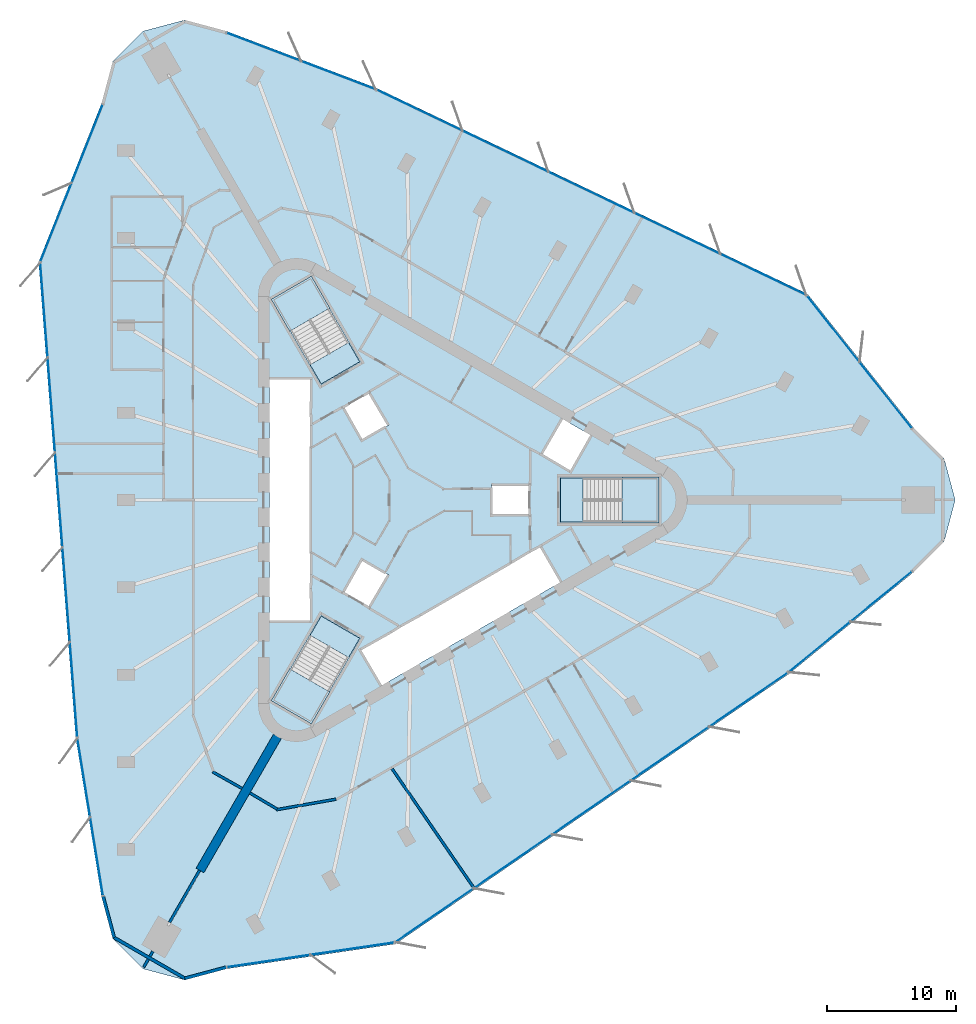
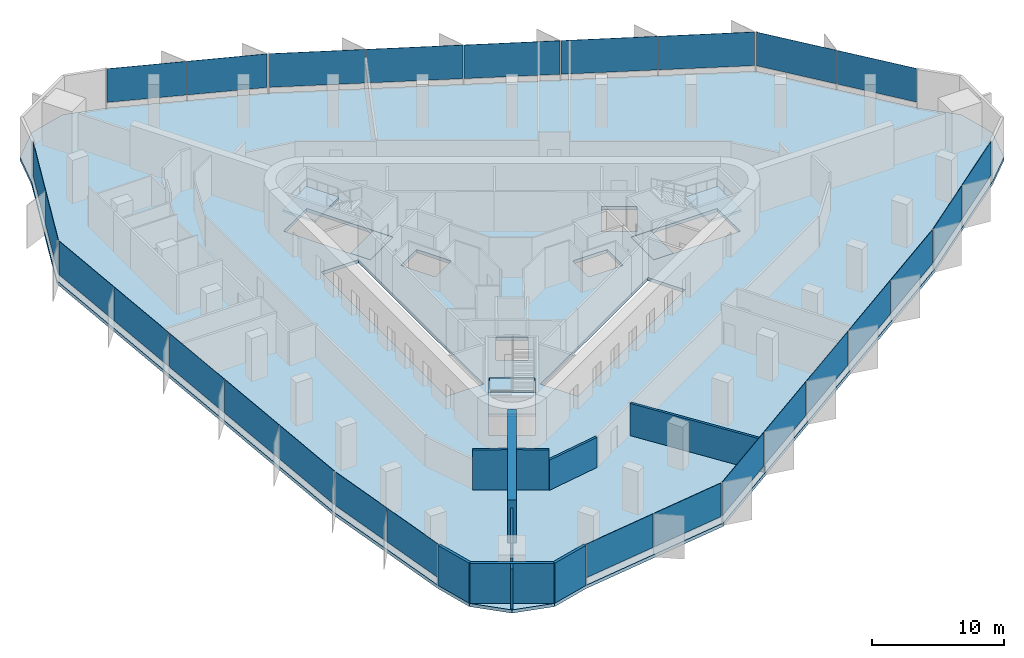
# One storey, part 7 of 13: 27 plates, 11 walls, 7 slabs, 12 elements without a shape of their own.
"""IFC4 building model written with IfcOpenShell, lengths in metres."""

from ifc_helpers import new_model, si_unit, direction, frame, frame_2d, origin, origin_2d, place, context, subcontext, project, spatial, polyline, rectangle, outline, extrude, material, layer, layer_set, type_object, element, aggregate, save


model = new_model("IFC4")

# Units and contexts
model_context = context("Model", 3, precision=1e-05, world=origin(), true_north=direction((0.0, 1.0)))
body_context = subcontext(model_context, "Body", "Model", "MODEL_VIEW")
ifc_project = project(units=[si_unit("LENGTHUNIT", "METRE"), si_unit("AREAUNIT", "SQUARE_METRE"), si_unit("VOLUMEUNIT", "CUBIC_METRE"), si_unit("PLANEANGLEUNIT", "RADIAN"), si_unit("MASSUNIT", "GRAM", prefix="KILO")], contexts=[model_context])

# Site, building, storey
site_placement = place(None, origin())
site = spatial("IfcSite", under=ifc_project, at=site_placement, CompositionType="ELEMENT")
building_placement = place(site_placement, origin())
building = spatial("IfcBuilding", under=site, at=building_placement, Name="Tanit Gate Tower", CompositionType="ELEMENT")
storey_placement = place(building_placement, frame((0.0, 0.0, 193.199951171875)))
storey = spatial("IfcBuildingStorey", under=building, at=storey_placement, Name="L42", CompositionType="ELEMENT", Elevation=193.199951171875)

# Slab
ifc_material_1 = material(Name="Concrete C35/45", Category="concrete")
ifc_layer_1 = layer(ifc_material_1, 0.300048828125)
ifc_layer_set_1 = layer_set([ifc_layer_1], Name="FLOOR SLAB 300 C35/45")
slab_type_1 = type_object("IfcSlabType", Name="FLOOR SLAB 300 C35/45", PredefinedType="FLOOR", material=ifc_layer_set_1)
slab_1_placement = place(storey_placement, frame((0.0, 0.0, -0.300048828125)))
element("IfcSlab", 1, at=slab_1_placement, inside=storey, type_object=slab_type_1, Name="FLOOR SLAB L42", PredefinedType="FLOOR", context=body_context, shape_type="SweptSolid", body=[
    extrude(outline(polyline([(38.729248046875, 5.590087890625), (41.091796875, 3.2275390625), (41.956787109375, 0.0), (41.091796875, -3.2275390625), (38.729248046875, -5.590087890625), (29.077392578125, -13.468994140625), (-1.43408203125, -34.410888671875), (-14.5234375, -36.335693359375), (-17.7509765625, -37.200439453125), (-20.978515625, -36.335693359375), (-23.341064453125, -33.972900390625), (-24.205810546875, -30.745361328125), (-26.202880859375, -18.447265625), (-29.08349609375, 18.447265625), (-24.205810546875, 30.745361328125), (-23.341064453125, 33.972900390625), (-20.978515625, 36.335693359375), (-17.7509765625, 37.200439453125), (-14.5234375, 36.335693359375), (-2.874267578125, 31.916015625), (30.517578125, 15.96337890625), (38.729248046875, 5.590087890625)]), holes=[polyline([(11.3701171875, 1.72998046875), (18.929931640625, 1.72998046875), (18.929931640625, -1.72998046875), (11.3701171875, -1.72998046875), (11.3701171875, 1.72998046875)]), polyline([(9.82080078125, 3.510009765625), (11.44580078125, 6.324462890625), (13.783935546875, 4.974609375), (12.158935546875, 2.159912109375), (9.82080078125, 3.510009765625)]), polyline([(-4.208984375, -11.60986328125), (9.82080078125, -3.510009765625), (11.44580078125, -6.324462890625), (-2.583984375, -14.424560546875), (-4.208984375, -11.60986328125)]), polyline([(6.0, 1.199951171875), (9.0, 1.199951171875), (9.0, -1.199951171875), (6.0, -1.199951171875), (6.0, 1.199951171875)]), polyline([(-5.539306640625, 7.194091796875), (-3.460693359375, 8.394287109375), (-1.960693359375, 5.796142578125), (-4.039306640625, 4.59619140625), (-5.539306640625, 7.194091796875)]), polyline([(-1.960693359375, -5.796142578125), (-3.460693359375, -8.394287109375), (-5.539306640625, -7.194091796875), (-4.039306640625, -4.59619140625), (-1.960693359375, -5.796142578125)]), polyline([(-10.963134765625, 15.52880859375), (-7.966796875, 17.2587890625), (-4.186767578125, 10.711669921875), (-7.18310546875, 8.981689453125), (-10.963134765625, 15.52880859375)]), polyline([(-4.186767578125, -10.711669921875), (-7.966796875, -17.2587890625), (-10.963134765625, -15.52880859375), (-7.18310546875, -8.981689453125), (-4.186767578125, -10.711669921875)]), polyline([(-11.199951171875, -9.449951171875), (-11.199951171875, 9.449951171875), (-7.949951171875, 9.449951171875), (-7.949951171875, -9.449951171875), (-11.199951171875, -9.449951171875)])]), origin(), (0.0, 0.0, 1.0), 0.300048828125),
])

# Curtain wall, plates
ifc_material_2 = material(Name="Aluminium bronze anodised and glass", Category="aluminium")
curtain_wall_type = type_object("IfcCurtainWallType", Name="Curtain wall typical mid", PredefinedType="NOTDEFINED", material=ifc_material_2)
curtain_wall_1_placement = place(storey_placement, origin())
curtain_wall_1 = element("IfcCurtainWall", 2, at=curtain_wall_1_placement, inside=storey, type_object=curtain_wall_type, Name="Curtain wall L42 NE1", PredefinedType="NOTDEFINED")
ifc_material_3 = material(Name="Glass tinted", Category="glass")
ifc_layer_2 = layer(ifc_material_3, 0.030029296875)
ifc_layer_set_2 = layer_set([ifc_layer_2], Name="Glass panel 30 typical mid")
plate_type = type_object("IfcPlateType", Name="Glass panel 30 typical mid", PredefinedType="CURTAIN_PANEL", material=ifc_layer_set_2)
plate_1_placement = place(storey_placement, frame((36.577392578125, 8.115234375, 0.60009765625), z_axis=(0.0, 0.0, 1.0), x_axis=(-0.620674676838, 0.784068202092, 0.0)))
plate_1 = element("IfcPlate", 3, at=plate_1_placement, type_object=plate_type, Name="Glass panel L42 NE1.1", PredefinedType="CURTAIN_PANEL", context=body_context, shape_type="SweptSolid", body=[
    extrude(rectangle(XDim=6.484619140625, YDim=0.030029296875, at=origin_2d()), origin(), (0.0, 0.0, 1.0), 3.10009765625),
])
plate_2_placement = place(storey_placement, frame((32.5029296875, 13.26220703125, 0.60009765625), z_axis=(0.0, 0.0, 1.0), x_axis=(-0.620674676838, 0.784068202092, 0.0)))
plate_2 = element("IfcPlate", 4, at=plate_2_placement, type_object=plate_type, Name="Glass panel L42 NE1.2", PredefinedType="CURTAIN_PANEL", context=body_context, shape_type="SweptSolid", body=[
    extrude(rectangle(XDim=6.484619140625, YDim=0.030029296875, at=origin_2d()), origin(), (0.0, 0.0, 1.0), 3.10009765625),
])
aggregate(curtain_wall_1, [plate_1, plate_2])

curtain_wall_2_placement = place(storey_placement, origin())
curtain_wall_2 = element("IfcCurtainWall", 5, at=curtain_wall_2_placement, inside=storey, type_object=curtain_wall_type, Name="Curtain wall L42 NE2", PredefinedType="NOTDEFINED")
plate_3_placement = place(storey_placement, frame((27.07568359375, 17.474853515625, 0.60009765625), z_axis=(0.0, 0.0, 1.0), x_axis=(-0.902317145415, 0.431072811819, 0.0)))
plate_3 = element("IfcPlate", 6, at=plate_3_placement, type_object=plate_type, Name="Glass panel L42 NE2.1", PredefinedType="CURTAIN_PANEL", context=body_context, shape_type="SweptSolid", body=[
    extrude(rectangle(XDim=7.298828125, YDim=0.030029296875, at=origin_2d()), origin(), (0.0, 0.0, 1.0), 3.10009765625),
])
plate_4_placement = place(storey_placement, frame((20.417724609375, 20.65576171875, 0.60009765625), z_axis=(0.0, 0.0, 1.0), x_axis=(-0.902317145415, 0.431072811819, 0.0)))
plate_4 = element("IfcPlate", 7, at=plate_4_placement, type_object=plate_type, Name="Glass panel L42 NE2.2", PredefinedType="CURTAIN_PANEL", context=body_context, shape_type="SweptSolid", body=[
    extrude(rectangle(XDim=7.298828125, YDim=0.030029296875, at=origin_2d()), origin(), (0.0, 0.0, 1.0), 3.10009765625),
])
plate_5_placement = place(storey_placement, frame((13.759521484375, 23.83642578125, 0.60009765625), z_axis=(0.0, 0.0, 1.0), x_axis=(-0.902317145415, 0.431072811819, 0.0)))
plate_5 = element("IfcPlate", 8, at=plate_5_placement, type_object=plate_type, Name="Glass panel L42 NE2.3", PredefinedType="CURTAIN_PANEL", context=body_context, shape_type="SweptSolid", body=[
    extrude(rectangle(XDim=7.298828125, YDim=0.030029296875, at=origin_2d()), origin(), (0.0, 0.0, 1.0), 3.10009765625),
])
plate_6_placement = place(storey_placement, frame((7.1015625, 27.017333984375, 0.60009765625), z_axis=(0.0, 0.0, 1.0), x_axis=(-0.902317145415, 0.431072811819, 0.0)))
plate_6 = element("IfcPlate", 9, at=plate_6_placement, type_object=plate_type, Name="Glass panel L42 NE2.4", PredefinedType="CURTAIN_PANEL", context=body_context, shape_type="SweptSolid", body=[
    extrude(rectangle(XDim=7.298828125, YDim=0.030029296875, at=origin_2d()), origin(), (0.0, 0.0, 1.0), 3.10009765625),
])
plate_7_placement = place(storey_placement, frame((0.443603515625, 30.197998046875, 0.60009765625), z_axis=(0.0, 0.0, 1.0), x_axis=(-0.902317145415, 0.431072811819, 0.0)))
plate_7 = element("IfcPlate", 10, at=plate_7_placement, type_object=plate_type, Name="Glass panel L42 NE2.5", PredefinedType="CURTAIN_PANEL", context=body_context, shape_type="SweptSolid", body=[
    extrude(rectangle(XDim=7.298828125, YDim=0.030029296875, at=origin_2d()), origin(), (0.0, 0.0, 1.0), 3.10009765625),
])
aggregate(curtain_wall_2, [plate_3, plate_4, plate_5, plate_6, plate_7])

curtain_wall_3_placement = place(storey_placement, origin())
curtain_wall_3 = element("IfcCurtainWall", 11, at=curtain_wall_3_placement, inside=storey, type_object=curtain_wall_type, Name="Curtain wall L42 NE3", PredefinedType="NOTDEFINED")
plate_8_placement = place(storey_placement, frame((-5.849853515625, 32.916748046875, 0.60009765625), z_axis=(0.0, 0.0, 1.0), x_axis=(-0.934976215335, 0.35471041253, 0.0)))
plate_8 = element("IfcPlate", 12, at=plate_8_placement, type_object=plate_type, Name="Glass panel L42 NE3.1", PredefinedType="CURTAIN_PANEL", context=body_context, shape_type="SweptSolid", body=[
    extrude(rectangle(XDim=6.10400390625, YDim=0.030029296875, at=origin_2d()), origin(), (0.0, 0.0, 1.0), 3.10009765625),
])
plate_9_placement = place(storey_placement, frame((-11.6318359375, 35.1103515625, 0.60009765625), z_axis=(0.0, 0.0, 1.0), x_axis=(-0.934976215335, 0.35471041253, 0.0)))
plate_9 = element("IfcPlate", 13, at=plate_9_placement, type_object=plate_type, Name="Glass panel L42 NE3.2", PredefinedType="CURTAIN_PANEL", context=body_context, shape_type="SweptSolid", body=[
    extrude(rectangle(XDim=6.10400390625, YDim=0.030029296875, at=origin_2d()), origin(), (0.0, 0.0, 1.0), 3.10009765625),
])
aggregate(curtain_wall_3, [plate_8, plate_9])

curtain_wall_4_placement = place(storey_placement, origin())
curtain_wall_4 = element("IfcCurtainWall", 14, at=curtain_wall_4_placement, inside=storey, type_object=curtain_wall_type, Name="Curtain wall L42 W1", PredefinedType="NOTDEFINED")
plate_10_placement = place(storey_placement, frame((-25.316650390625, 27.619384765625, 0.60009765625), z_axis=(0.0, 0.0, 1.0), x_axis=(-0.368685642892, -0.929554138674, 0.0)))
plate_10 = element("IfcPlate", 15, at=plate_10_placement, type_object=plate_type, Name="Glass panel L42 W1.1", PredefinedType="CURTAIN_PANEL", context=body_context, shape_type="SweptSolid", body=[
    extrude(rectangle(XDim=6.484619140625, YDim=0.030029296875, at=origin_2d()), origin(), (0.0, 0.0, 1.0), 3.10009765625),
])
plate_11_placement = place(storey_placement, frame((-27.73681640625, 21.51708984375, 0.60009765625), z_axis=(0.0, 0.0, 1.0), x_axis=(-0.368685642892, -0.929554138674, 0.0)))
plate_11 = element("IfcPlate", 16, at=plate_11_placement, type_object=plate_type, Name="Glass panel L42 W1.2", PredefinedType="CURTAIN_PANEL", context=body_context, shape_type="SweptSolid", body=[
    extrude(rectangle(XDim=6.484619140625, YDim=0.030029296875, at=origin_2d()), origin(), (0.0, 0.0, 1.0), 3.10009765625),
])
aggregate(curtain_wall_4, [plate_10, plate_11])

curtain_wall_5_placement = place(storey_placement, origin())
curtain_wall_5 = element("IfcCurtainWall", 17, at=curtain_wall_5_placement, inside=storey, type_object=curtain_wall_type, Name="Curtain wall L42 W2", PredefinedType="NOTDEFINED")
plate_12_placement = place(storey_placement, frame((-28.67138671875, 14.710693359375, 0.60009765625), z_axis=(0.0, 0.0, 1.0), x_axis=(0.077838566791, -0.996965976109, 0.0)))
plate_12 = element("IfcPlate", 18, at=plate_12_placement, type_object=plate_type, Name="Glass panel L42 W2.1", PredefinedType="CURTAIN_PANEL", context=body_context, shape_type="SweptSolid", body=[
    extrude(rectangle(XDim=7.298828125, YDim=0.030029296875, at=origin_2d()), origin(), (0.0, 0.0, 1.0), 3.10009765625),
])
plate_13_placement = place(storey_placement, frame((-28.09716796875, 7.354248046875, 0.60009765625), z_axis=(0.0, 0.0, 1.0), x_axis=(0.077838566791, -0.996965976109, 0.0)))
plate_13 = element("IfcPlate", 19, at=plate_13_placement, type_object=plate_type, Name="Glass panel L42 W2.2", PredefinedType="CURTAIN_PANEL", context=body_context, shape_type="SweptSolid", body=[
    extrude(rectangle(XDim=7.298828125, YDim=0.030029296875, at=origin_2d()), origin(), (0.0, 0.0, 1.0), 3.10009765625),
])
plate_14_placement = place(storey_placement, frame((-27.522705078125, -0.001953125, 0.60009765625), z_axis=(0.0, 0.0, 1.0), x_axis=(0.077838566791, -0.996965976109, 0.0)))
plate_14 = element("IfcPlate", 20, at=plate_14_placement, type_object=plate_type, Name="Glass panel L42 W2.3", PredefinedType="CURTAIN_PANEL", context=body_context, shape_type="SweptSolid", body=[
    extrude(rectangle(XDim=7.298828125, YDim=0.030029296875, at=origin_2d()), origin(), (0.0, 0.0, 1.0), 3.10009765625),
])
plate_15_placement = place(storey_placement, frame((-26.948486328125, -7.3583984375, 0.60009765625), z_axis=(0.0, 0.0, 1.0), x_axis=(0.077838566791, -0.996965976109, 0.0)))
plate_15 = element("IfcPlate", 21, at=plate_15_placement, type_object=plate_type, Name="Glass panel L42 W2.4", PredefinedType="CURTAIN_PANEL", context=body_context, shape_type="SweptSolid", body=[
    extrude(rectangle(XDim=7.298828125, YDim=0.030029296875, at=origin_2d()), origin(), (0.0, 0.0, 1.0), 3.10009765625),
])
plate_16_placement = place(storey_placement, frame((-26.3740234375, -14.71484375, 0.60009765625), z_axis=(0.0, 0.0, 1.0), x_axis=(0.077838566791, -0.996965976109, 0.0)))
plate_16 = element("IfcPlate", 22, at=plate_16_placement, type_object=plate_type, Name="Glass panel L42 W2.5", PredefinedType="CURTAIN_PANEL", context=body_context, shape_type="SweptSolid", body=[
    extrude(rectangle(XDim=7.298828125, YDim=0.030029296875, at=origin_2d()), origin(), (0.0, 0.0, 1.0), 3.10009765625),
])
aggregate(curtain_wall_5, [plate_12, plate_13, plate_14, plate_15, plate_16])

curtain_wall_6_placement = place(storey_placement, origin())
curtain_wall_6 = element("IfcCurtainWall", 23, at=curtain_wall_6_placement, inside=storey, type_object=curtain_wall_type, Name="Curtain wall L42 W3", PredefinedType="NOTDEFINED")
plate_17_placement = place(storey_placement, frame((-25.581787109375, -21.5244140625, 0.60009765625), z_axis=(0.0, 0.0, 1.0), x_axis=(0.16029987943, -0.98706836068, 0.0)))
plate_17 = element("IfcPlate", 24, at=plate_17_placement, type_object=plate_type, Name="Glass panel L42 W3.1", PredefinedType="CURTAIN_PANEL", context=body_context, shape_type="SweptSolid", body=[
    extrude(rectangle(XDim=6.10400390625, YDim=0.030029296875, at=origin_2d()), origin(), (0.0, 0.0, 1.0), 3.10009765625),
])
plate_18_placement = place(storey_placement, frame((-24.59033203125, -27.628662109375, 0.60009765625), z_axis=(0.0, 0.0, 1.0), x_axis=(0.16029987943, -0.98706836068, 0.0)))
plate_18 = element("IfcPlate", 25, at=plate_18_placement, type_object=plate_type, Name="Glass panel L42 W3.2", PredefinedType="CURTAIN_PANEL", context=body_context, shape_type="SweptSolid", body=[
    extrude(rectangle(XDim=6.10400390625, YDim=0.030029296875, at=origin_2d()), origin(), (0.0, 0.0, 1.0), 3.10009765625),
])
aggregate(curtain_wall_6, [plate_17, plate_18])

curtain_wall_7_placement = place(storey_placement, origin())
curtain_wall_7 = element("IfcCurtainWall", 26, at=curtain_wall_7_placement, inside=storey, type_object=curtain_wall_type, Name="Curtain wall L42 SE1", PredefinedType="NOTDEFINED")
plate_19_placement = place(storey_placement, frame((-11.2607421875, -35.734619140625, 0.60009765625), z_axis=(0.0, 0.0, 1.0), x_axis=(0.98936031973, 0.145485936582, 0.0)))
plate_19 = element("IfcPlate", 27, at=plate_19_placement, type_object=plate_type, Name="Glass panel L42 SE1.1", PredefinedType="CURTAIN_PANEL", context=body_context, shape_type="SweptSolid", body=[
    extrude(rectangle(XDim=6.484619140625, YDim=0.030029296875, at=origin_2d()), origin(), (0.0, 0.0, 1.0), 3.10009765625),
])
plate_20_placement = place(storey_placement, frame((-4.765869140625, -34.779541015625, 0.60009765625), z_axis=(0.0, 0.0, 1.0), x_axis=(0.98936031973, 0.145485936582, 0.0)))
plate_20 = element("IfcPlate", 28, at=plate_20_placement, type_object=plate_type, Name="Glass panel L42 SE1.2", PredefinedType="CURTAIN_PANEL", context=body_context, shape_type="SweptSolid", body=[
    extrude(rectangle(XDim=6.484619140625, YDim=0.030029296875, at=origin_2d()), origin(), (0.0, 0.0, 1.0), 3.10009765625),
])
aggregate(curtain_wall_7, [plate_19, plate_20])

curtain_wall_8_placement = place(storey_placement, origin())
curtain_wall_8 = element("IfcCurtainWall", 29, at=curtain_wall_8_placement, inside=storey, type_object=curtain_wall_type, Name="Curtain wall L42 SE2", PredefinedType="NOTDEFINED")
plate_21_placement = place(storey_placement, frame((1.595947265625, -32.185546875, 0.60009765625), z_axis=(0.0, 0.0, 1.0), x_axis=(0.824478578624, 0.56589316429, 0.0)))
plate_21 = element("IfcPlate", 30, at=plate_21_placement, type_object=plate_type, Name="Glass panel L42 SE2.1", PredefinedType="CURTAIN_PANEL", context=body_context, shape_type="SweptSolid", body=[
    extrude(rectangle(XDim=7.298828125, YDim=0.030029296875, at=origin_2d()), origin(), (0.0, 0.0, 1.0), 3.10009765625),
])
plate_22_placement = place(storey_placement, frame((7.679443359375, -28.010009765625, 0.60009765625), z_axis=(0.0, 0.0, 1.0), x_axis=(0.824478578624, 0.56589316429, 0.0)))
plate_22 = element("IfcPlate", 31, at=plate_22_placement, type_object=plate_type, Name="Glass panel L42 SE2.2", PredefinedType="CURTAIN_PANEL", context=body_context, shape_type="SweptSolid", body=[
    extrude(rectangle(XDim=7.298828125, YDim=0.030029296875, at=origin_2d()), origin(), (0.0, 0.0, 1.0), 3.10009765625),
])
plate_23_placement = place(storey_placement, frame((13.76318359375, -23.83447265625, 0.60009765625), z_axis=(0.0, 0.0, 1.0), x_axis=(0.824478578624, 0.56589316429, 0.0)))
plate_23 = element("IfcPlate", 32, at=plate_23_placement, type_object=plate_type, Name="Glass panel L42 SE2.3", PredefinedType="CURTAIN_PANEL", context=body_context, shape_type="SweptSolid", body=[
    extrude(rectangle(XDim=7.298828125, YDim=0.030029296875, at=origin_2d()), origin(), (0.0, 0.0, 1.0), 3.10009765625),
])
plate_24_placement = place(storey_placement, frame((19.846923828125, -19.65869140625, 0.60009765625), z_axis=(0.0, 0.0, 1.0), x_axis=(0.824478578624, 0.56589316429, 0.0)))
plate_24 = element("IfcPlate", 33, at=plate_24_placement, type_object=plate_type, Name="Glass panel L42 SE2.4", PredefinedType="CURTAIN_PANEL", context=body_context, shape_type="SweptSolid", body=[
    extrude(rectangle(XDim=7.298828125, YDim=0.030029296875, at=origin_2d()), origin(), (0.0, 0.0, 1.0), 3.10009765625),
])
plate_25_placement = place(storey_placement, frame((25.930419921875, -15.483154296875, 0.60009765625), z_axis=(0.0, 0.0, 1.0), x_axis=(0.824478578624, 0.56589316429, 0.0)))
plate_25 = element("IfcPlate", 34, at=plate_25_placement, type_object=plate_type, Name="Glass panel L42 SE2.5", PredefinedType="CURTAIN_PANEL", context=body_context, shape_type="SweptSolid", body=[
    extrude(rectangle(XDim=7.298828125, YDim=0.030029296875, at=origin_2d()), origin(), (0.0, 0.0, 1.0), 3.10009765625),
])
aggregate(curtain_wall_8, [plate_21, plate_22, plate_23, plate_24, plate_25])

curtain_wall_9_placement = place(storey_placement, origin())
curtain_wall_9 = element("IfcCurtainWall", 35, at=curtain_wall_9_placement, inside=storey, type_object=curtain_wall_type, Name="Curtain wall L42 SE3", PredefinedType="NOTDEFINED")
plate_26_placement = place(storey_placement, frame((31.431640625, -11.39208984375, 0.60009765625), z_axis=(0.0, 0.0, 1.0), x_axis=(0.774676335905, 0.63235794815, 0.0)))
plate_26 = element("IfcPlate", 36, at=plate_26_placement, type_object=plate_type, Name="Glass panel L42 SE3.1", PredefinedType="CURTAIN_PANEL", context=body_context, shape_type="SweptSolid", body=[
    extrude(rectangle(XDim=6.10400390625, YDim=0.030029296875, at=origin_2d()), origin(), (0.0, 0.0, 1.0), 3.10009765625),
])
plate_27_placement = place(storey_placement, frame((36.222412109375, -7.481689453125, 0.60009765625), z_axis=(0.0, 0.0, 1.0), x_axis=(0.774676335905, 0.63235794815, 0.0)))
plate_27 = element("IfcPlate", 37, at=plate_27_placement, type_object=plate_type, Name="Glass panel L42 SE3.2", PredefinedType="CURTAIN_PANEL", context=body_context, shape_type="SweptSolid", body=[
    extrude(rectangle(XDim=6.10400390625, YDim=0.030029296875, at=origin_2d()), origin(), (0.0, 0.0, 1.0), 3.10009765625),
])
aggregate(curtain_wall_9, [plate_26, plate_27])

# Stair, slab
ifc_material_4 = material(Name="Concrete C40/50", Category="concrete")
stair_type = type_object("IfcStairType", Name="INT-STAIR-EXIT", PredefinedType="HALF_TURN_STAIR", material=ifc_material_4)
stair_1_placement = place(storey_placement, origin())
stair_1 = element("IfcStair", 38, at=stair_1_placement, inside=storey, type_object=stair_type, Name="L42 STAIR S1", PredefinedType="HALF_TURN_STAIR")
ifc_material_5 = material(Name="Concrete C40/50", Category="concrete")
ifc_layer_3 = layer(ifc_material_5, 0.199951171875)
ifc_layer_set_3 = layer_set([ifc_layer_3], Name="INT-STAIR-LANDING")
slab_type_2 = type_object("IfcSlabType", Name="INT-STAIR-LANDING", PredefinedType="LANDING", material=ifc_layer_set_3)
slab_2_placement = place(storey_placement, frame((0.0, 0.0, 1.800048828125)))
slab_2 = element("IfcSlab", 39, at=slab_2_placement, type_object=slab_type_2, Name="S1 landing 1", PredefinedType="LANDING", context=body_context, shape_type="SweptSolid", body=[
    extrude(outline(polyline([(16.135986328125, -1.800048828125), (19.0, -1.800048828125), (19.0, 1.800048828125), (16.135986328125, 1.800048828125), (16.135986328125, -1.800048828125)])), origin(), (0.0, 0.0, 1.0), 0.199951171875),
])
aggregate(stair_1, [slab_2])

# Slab
slab_3_placement = place(storey_placement, frame((0.0, 0.0, -0.199951171875)))
element("IfcSlab", 40, at=slab_3_placement, inside=storey, type_object=slab_type_2, Name="S1 floor landing", PredefinedType="LANDING", context=body_context, shape_type="SweptSolid", body=[
    extrude(outline(polyline([(11.3798828125, -1.719970703125), (13.10498046875, -1.719970703125), (13.10498046875, 1.719970703125), (11.3798828125, 1.719970703125), (11.3798828125, -1.719970703125)])), origin(), (0.0, 0.0, 1.0), 0.199951171875),
])

# Stair, slab
stair_2_placement = place(storey_placement, origin())
stair_2 = element("IfcStair", 41, at=stair_2_placement, inside=storey, type_object=stair_type, Name="L42 STAIR S2", PredefinedType="HALF_TURN_STAIR")
slab_4_placement = place(storey_placement, frame((0.0, 0.0, 1.800048828125)))
slab_4 = element("IfcSlab", 42, at=slab_4_placement, type_object=slab_type_2, Name="S2 landing 1", PredefinedType="LANDING", context=body_context, shape_type="SweptSolid", body=[
    extrude(outline(polyline([(-6.5078125, 14.871826171875), (-7.941162109375, 17.3544921875), (-11.058837890625, 15.554443359375), (-9.62548828125, 13.07177734375), (-6.5078125, 14.871826171875)])), origin(), (0.0, 0.0, 1.0), 0.199951171875),
])
aggregate(stair_2, [slab_4])

# Slab
slab_5_placement = place(storey_placement, frame((0.0, 0.0, -0.199951171875)))
element("IfcSlab", 43, at=slab_5_placement, inside=storey, type_object=slab_type_2, Name="S2 floor landing", PredefinedType="LANDING", context=body_context, shape_type="SweptSolid", body=[
    extrude(outline(polyline([(-4.200439453125, 10.71533203125), (-5.0625, 12.20849609375), (-8.04150390625, 10.48828125), (-7.179443359375, 8.995361328125), (-4.200439453125, 10.71533203125)])), origin(), (0.0, 0.0, 1.0), 0.199951171875),
])

# Stair, slab
stair_3_placement = place(storey_placement, origin())
stair_3 = element("IfcStair", 44, at=stair_3_placement, inside=storey, type_object=stair_type, Name="L42 STAIR S3", PredefinedType="HALF_TURN_STAIR")
slab_6_placement = place(storey_placement, frame((0.0, 0.0, 1.800048828125)))
slab_6 = element("IfcSlab", 45, at=slab_6_placement, type_object=slab_type_2, Name="S3 landing 1", PredefinedType="LANDING", context=body_context, shape_type="SweptSolid", body=[
    extrude(outline(polyline([(-9.626953125, -13.07421875), (-11.058837890625, -15.554443359375), (-7.941162109375, -17.3544921875), (-6.509033203125, -14.874267578125), (-9.626953125, -13.07421875)])), origin(), (0.0, 0.0, 1.0), 0.199951171875),
])
aggregate(stair_3, [slab_6])

# Slab
slab_7_placement = place(storey_placement, frame((0.0, 0.0, -0.199951171875)))
element("IfcSlab", 46, at=slab_7_placement, inside=storey, type_object=slab_type_2, Name="S3 floor landing", PredefinedType="LANDING", context=body_context, shape_type="SweptSolid", body=[
    extrude(outline(polyline([(-7.179443359375, -8.995361328125), (-8.0419921875, -10.4892578125), (-5.06298828125, -12.209228515625), (-4.200439453125, -10.71533203125), (-7.179443359375, -8.995361328125)])), origin(), (0.0, 0.0, 1.0), 0.199951171875),
])

# Walls
ifc_material_6 = material(Name="Concrete C50/60", Category="concrete")
ifc_layer_4 = layer(ifc_material_6, 0.699951171875)
ifc_layer_set_4 = layer_set([ifc_layer_4], Name="BUTTRESS FIN 700 C50/60")
wall_type_1 = type_object("IfcWallType", Name="BUTTRESS FIN 700 C50/60", PredefinedType="SHEAR", material=ifc_layer_set_4)
wall_1_placement = place(storey_placement, frame((-10.574951171875, -18.31640625, 0.0), z_axis=(0.0, 0.0, 1.0), x_axis=(-0.500001138955, -0.866024746207, 0.0)))
element("IfcWall", 47, at=wall_1_placement, inside=storey, type_object=wall_type_1, Name="BUTTRESS FIN", PredefinedType="SHEAR", context=body_context, shape_type="SweptSolid", body=[
    extrude(rectangle(XDim=12.0068359375, YDim=0.699951171875, at=frame_2d((6.00341796875, 0.0))), origin(), (0.0, 0.0, 1.0), 4.0),
])
ifc_material_7 = material(Name="Concrete C30/37 with bronze anodised aluminium cladding", Category="concrete")
ifc_layer_5 = layer(ifc_material_7, 0.239990234375)
ifc_layer_set_5 = layer_set([ifc_layer_5], Name="Facade wall bronze clad 240")
wall_type_2 = type_object("IfcWallType", Name="Facade wall bronze clad 240", PredefinedType="SOLIDWALL", material=ifc_layer_set_5)
wall_2_placement = place(storey_placement, frame((-24.08837890625, -30.72021484375, 0.0), z_axis=(0.0, 0.0, 1.0), x_axis=(0.258830906222, -0.965922648034, 0.0)))
element("IfcWall", 48, at=wall_2_placement, inside=storey, type_object=wall_type_2, Name="Bronze-clad facade wall L42 SW.arc1", PredefinedType="SOLIDWALL", context=body_context, shape_type="SweptSolid", body=[
    extrude(rectangle(XDim=3.30322265625, YDim=0.239990234375, at=frame_2d((1.651611328125, 0.0))), origin(), (0.0, 0.0, 1.0), 3.699951171875),
])
wall_3_placement = place(storey_placement, frame((-23.2333984375, -33.910888671875, 0.0), z_axis=(0.0, 0.0, 1.0), x_axis=(0.86602503047, -0.5000006466, 0.0)))
element("IfcWall", 49, at=wall_3_placement, inside=storey, type_object=wall_type_2, Name="Bronze-clad facade wall L42 SW.arc2", PredefinedType="SOLIDWALL", context=body_context, shape_type="SweptSolid", body=[
    extrude(rectangle(XDim=6.33056640625, YDim=0.239990234375, at=frame_2d((3.165283203125, 0.0))), origin(), (0.0, 0.0, 1.0), 3.699951171875),
])
wall_4_placement = place(storey_placement, frame((-17.7509765625, -37.076171875, 0.0), z_axis=(0.0, 0.0, 1.0), x_axis=(0.965916501562, 0.258853842949, 0.0)))
element("IfcWall", 50, at=wall_4_placement, inside=storey, type_object=wall_type_2, Name="Bronze-clad facade wall L42 SW.arc3", PredefinedType="SOLIDWALL", context=body_context, shape_type="SweptSolid", body=[
    extrude(rectangle(XDim=3.316162109375, YDim=0.239990234375, at=frame_2d((1.658203125, 0.0))), origin(), (0.0, 0.0, 1.0), 3.699951171875),
])
ifc_material_8 = material(Name="Fire-rated gypsum board partition")
ifc_layer_6 = layer(ifc_material_8, 0.199951171875)
ifc_layer_set_6 = layer_set([ifc_layer_6], Name="INT-WALL-COMPARTMENT")
wall_type_3 = type_object("IfcWallType", Name="INT-WALL-COMPARTMENT", PredefinedType="PARTITIONING", material=ifc_layer_set_6)
wall_5_placement = place(storey_placement, frame((-15.597900390625, -21.071533203125, 0.0), z_axis=(0.0, 0.0, 1.0), x_axis=(0.871234731294, -0.490866624438, 0.0)))
element("IfcWall", 51, at=wall_5_placement, inside=storey, type_object=wall_type_3, Name="Wall Compartment W096", PredefinedType="PARTITIONING", context=body_context, shape_type="SweptSolid", body=[
    extrude(rectangle(XDim=2.62255859375, YDim=0.199951171875, at=frame_2d((1.311279296875, 0.0))), origin(), (0.0, 0.0, 1.0), 3.699951171875),
])
wall_6_placement = place(storey_placement, frame((-10.664794921875, -24.0048828125, 0.0), z_axis=(0.0, 0.0, 1.0), x_axis=(0.984806532296, 0.173655100553, 0.0)))
element("IfcWall", 52, at=wall_6_placement, inside=storey, type_object=wall_type_3, Name="Wall Compartment W113", PredefinedType="PARTITIONING", context=body_context, shape_type="SweptSolid", body=[
    extrude(rectangle(XDim=4.70556640625, YDim=0.199951171875, at=frame_2d((2.352783203125, 0.0))), origin(), (0.0, 0.0, 1.0), 2.780029296875),
])
wall_7_placement = place(storey_placement, frame((-12.706787109375, -22.708984375, 0.0), z_axis=(0.0, 0.0, 1.0), x_axis=(0.860754387085, -0.509020515415, 0.0)))
element("IfcWall", 53, at=wall_7_placement, inside=storey, type_object=wall_type_3, Name="Wall Compartment W114", PredefinedType="PARTITIONING", context=body_context, shape_type="SweptSolid", body=[
    extrude(rectangle(XDim=2.45703125, YDim=0.199951171875, at=frame_2d((1.228515625, 0.0))), origin(), (0.0, 0.0, 1.0), 3.699951171875),
])
wall_8_placement = place(storey_placement, frame((-20.938232421875, -36.2060546875, 0.0), z_axis=(0.0, 0.0, 1.0), x_axis=(0.49996696679, 0.866044474677, 0.0)))
element("IfcWall", 54, at=wall_8_placement, inside=storey, type_object=wall_type_3, Name="Wall Compartment W117", PredefinedType="PARTITIONING", context=body_context, shape_type="SweptSolid", body=[
    extrude(rectangle(XDim=0.72021484375, YDim=0.199951171875, at=frame_2d((0.360107421875, 0.0))), origin(), (0.0, 0.0, 1.0), 3.699951171875),
])
wall_9_placement = place(storey_placement, frame((-20.458251953125, -35.37451171875, 0.0), z_axis=(0.0, 0.0, 1.0), x_axis=(0.500384246316, 0.865803445384, 0.0)))
element("IfcWall", 55, at=wall_9_placement, inside=storey, type_object=wall_type_3, Name="Wall Compartment W117x1", PredefinedType="PARTITIONING", context=body_context, shape_type="SweptSolid", body=[
    extrude(rectangle(XDim=0.457763671875, YDim=0.199951171875, at=frame_2d((0.22900390625, 0.0))), origin(), (0.0, 0.0, 1.0), 3.699951171875),
])
wall_10_placement = place(storey_placement, frame((-18.929443359375, -32.7265625, 0.0), z_axis=(0.0, 0.0, 1.0), x_axis=(0.500007271693, 0.86602120543, 0.0)))
element("IfcWall", 56, at=wall_10_placement, inside=storey, type_object=wall_type_3, Name="Wall Compartment W118", PredefinedType="PARTITIONING", context=body_context, shape_type="SweptSolid", body=[
    extrude(rectangle(XDim=4.64990234375, YDim=0.199951171875, at=frame_2d((2.324951171875, 0.0))), origin(), (0.0, 0.0, 1.0), 3.27001953125),
])
wall_11_placement = place(storey_placement, frame((4.662353515625, -30.080810546875, 0.0), z_axis=(0.0, 0.0, 1.0), x_axis=(-0.565886599798, 0.824483084223, 0.0)))
element("IfcWall", 57, at=wall_11_placement, inside=storey, type_object=wall_type_3, Name="Wall Compartment W135", PredefinedType="PARTITIONING", context=body_context, shape_type="SweptSolid", body=[
    extrude(rectangle(XDim=11.2158203125, YDim=0.199951171875, at=frame_2d((5.60791015625, 0.0))), origin(), (0.0, 0.0, 1.0), 2.97998046875),
])

save(model, "model.ifc")
